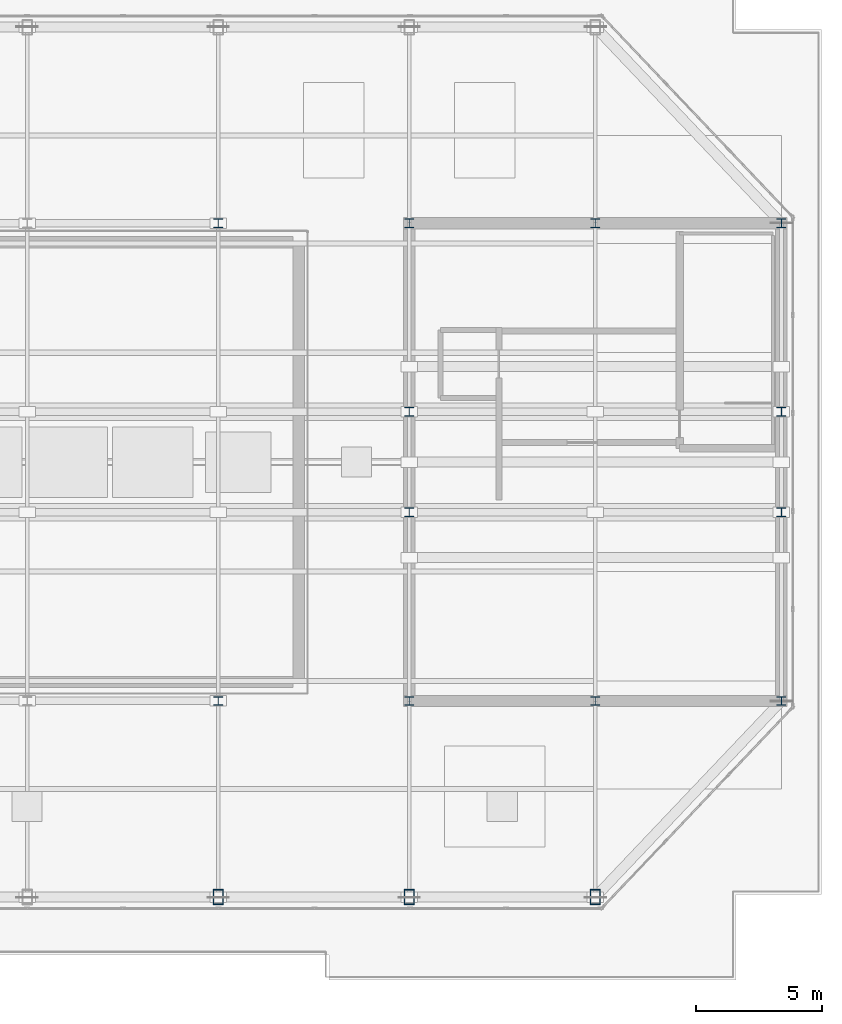
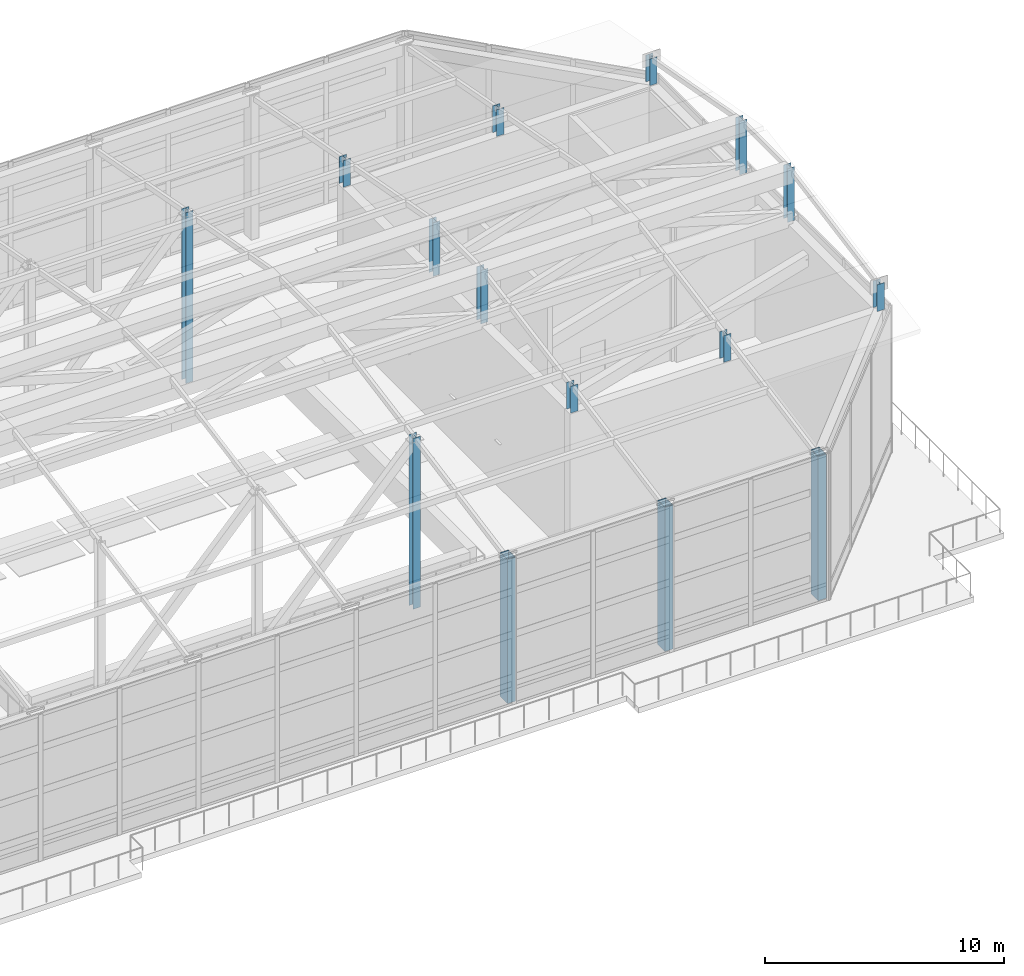
# One storey, part 2 of 25: 15 columns.
"""IFC4 building model written with IfcOpenShell, lengths in metres."""

from ifc_helpers import new_model, si_unit, direction, frame, origin, origin_2d, place, context, subcontext, project, spatial, hollow_rectangle, i_section, extrude, source, transform, mapped, material, material_profile, profile_set, type_object, type_shapes, element, save


model = new_model("IFC4")

# Units and contexts
model_context = context("Model", 3, precision=1e-05, world=origin(), true_north=direction((0.0, 1.0)))
body_context = subcontext(model_context, "Body", "Model", "MODEL_VIEW")
ifc_project = project(units=[si_unit("LENGTHUNIT", "METRE"), si_unit("AREAUNIT", "SQUARE_METRE"), si_unit("VOLUMEUNIT", "CUBIC_METRE"), si_unit("PLANEANGLEUNIT", "RADIAN"), si_unit("MASSUNIT", "GRAM", prefix="KILO")], contexts=[model_context])

# Site, building, storey
site_placement = place(None, origin())
site = spatial("IfcSite", under=ifc_project, at=site_placement, CompositionType="ELEMENT")
building_placement = place(site_placement, origin())
building = spatial("IfcBuilding", under=site, at=building_placement, Name="Haelvirn Gate Laboratories", CompositionType="ELEMENT")
storey_placement = place(building_placement, frame((0.0, 0.0, 337.800048828125)))
storey = spatial("IfcBuildingStorey", under=building, at=storey_placement, Name="RF", CompositionType="ELEMENT", Elevation=337.800048828125)

# Columns
ifc_material_1 = material(Name="Steel SM420", Category="steel")
ifc_material_profile_1 = material_profile(ifc_material_1, hollow_rectangle(XDim=0.39990234375, YDim=0.60009765625, WallThickness=0.02490234375, at=origin_2d()), Name="BOX-600x400x25")
ifc_profile_set_1 = profile_set([ifc_material_profile_1], Name="Steel SM420")
column_type_1 = type_object("IfcColumnType", Name="COL-CROWN", PredefinedType="USERDEFINED", material=ifc_profile_set_1)
shared_shape_1 = source(origin(), body_context, "Body", "SweptSolid", [
    extrude(hollow_rectangle(XDim=0.39990234375, YDim=0.60009765625, WallThickness=0.02490234375, at=origin_2d()), origin(), (0.0, 0.0, 1.0), 7.349853515625),
])
type_shapes(column_type_1, [shared_shape_1])
for number, where, z_axis, x_axis, name in (
    (1, (45.0, 7.0, 0.0), (0.0, 0.0, 1.0), (1.0, 0.0, 0.0), "RF Crown Ring Column S5"),
    (2, (52.60009765625, 7.0, 0.0), (0.0, 0.0, 1.0), (1.0, 0.0, 0.0), "RF Crown Ring Column S6"),
    (3, (60.0, 7.0, 0.0), (0.0, 0.0, 1.0), (1.0, 0.0, 0.0), "RF Crown Ring Column S7"),
):
    element("IfcColumn", number, at=place(storey_placement, frame(where, z_axis=z_axis, x_axis=x_axis)), inside=storey, type_object=column_type_1, Name=name, ObjectType="CROWN FRAME", PredefinedType="USERDEFINED", context=body_context, shape_type="MappedRepresentation", body=[
        mapped(shared_shape_1, transform((0.0, 0.0, 0.0), scale=1.0)),
    ])
ifc_material_2 = material(Name="Steel SM355", Category="steel")
ifc_material_profile_2 = material_profile(ifc_material_2, i_section(OverallWidth=0.35009765625, OverallDepth=0.35009765625, WebThickness=0.011962890625, FlangeThickness=0.01904296875, at=origin_2d()), Name="H-350x350x12x19")
ifc_profile_set_2 = profile_set([ifc_material_profile_2], Name="Steel SM355")
column_type_2 = type_object("IfcColumnType", Name="COL-H-350", PredefinedType="COLUMN", material=ifc_profile_set_2)
shared_shape_2 = source(origin(), body_context, "Body", "SweptSolid", [
    extrude(i_section(OverallWidth=0.35009765625, OverallDepth=0.35009765625, WebThickness=0.011962890625, FlangeThickness=0.01904296875, at=origin_2d()), origin(), (0.0, 0.0, 1.0), 1.361328125),
])
for number, where, z_axis, x_axis, name in (
    (4, (52.60009765625, 14.800048828125, 7.349853515625), (0.0, 0.0, 1.0), (1.0, 0.0, 0.0), "RF Vault Interior Support Column X52.6/Y14.8"),
    (5, (52.60009765625, 33.800048828125, 7.349853515625), (0.0, 0.0, 1.0), (1.0, 0.0, 0.0), "RF Vault Interior Support Column X52.6/Y33.8"),
    (6, (60.0, 14.800048828125, 7.349853515625), (0.0, 0.0, 1.0), (1.0, 0.0, 0.0), "RF Vault Interior Support Column X60.0/Y14.8"),
    (7, (60.0, 33.800048828125, 7.349853515625), (0.0, 0.0, 1.0), (1.0, 0.0, 0.0), "RF Vault Interior Support Column X60.0/Y33.8"),
    (8, (67.39990234375, 14.800048828125, 7.349853515625), (0.0, 0.0, 1.0), (1.0, 0.0, 0.0), "RF Vault Interior Support Column X67.4/Y14.8"),
    (9, (67.39990234375, 33.800048828125, 7.349853515625), (0.0, 0.0, 1.0), (1.0, 0.0, 0.0), "RF Vault Interior Support Column X67.4/Y33.8"),
):
    element("IfcColumn", number, at=place(storey_placement, frame(where, z_axis=z_axis, x_axis=x_axis)), inside=storey, type_object=column_type_2, Name=name, PredefinedType="COLUMN", context=body_context, shape_type="MappedRepresentation", body=[
        mapped(shared_shape_2, transform((0.0, 0.0, 0.0), scale=1.0)),
    ])
shared_shape_3 = source(origin(), body_context, "Body", "SweptSolid", [
    extrude(i_section(OverallWidth=0.35009765625, OverallDepth=0.35009765625, WebThickness=0.011962890625, FlangeThickness=0.01904296875, at=origin_2d()), origin(), (0.0, 0.0, 1.0), 8.711181640625),
])
for number, where, z_axis, x_axis, name in (
    (10, (45.0, 14.800048828125, 0.0), (0.0, 0.0, 1.0), (1.0, 0.0, 0.0), "RF Vault Interior Support Column X45.0/Y14.8"),
    (11, (45.0, 33.800048828125, 0.0), (0.0, 0.0, 1.0), (1.0, 0.0, 0.0), "RF Vault Interior Support Column X45.0/Y33.8"),
):
    element("IfcColumn", number, at=place(storey_placement, frame(where, z_axis=z_axis, x_axis=x_axis)), inside=storey, type_object=column_type_2, Name=name, PredefinedType="COLUMN", context=body_context, shape_type="MappedRepresentation", body=[
        mapped(shared_shape_3, transform((0.0, 0.0, 0.0), scale=1.0)),
    ])
shared_shape_4 = source(origin(), body_context, "Body", "SweptSolid", [
    extrude(i_section(OverallWidth=0.35009765625, OverallDepth=0.35009765625, WebThickness=0.011962890625, FlangeThickness=0.01904296875, at=origin_2d()), origin(), (0.0, 0.0, 1.0), 2.7255859375),
])
type_shapes(column_type_2, [shared_shape_2, shared_shape_3, shared_shape_4])
for number, where, z_axis, x_axis, name in (
    (12, (52.60009765625, 22.300048828125, 7.349853515625), (0.0, 0.0, 1.0), (1.0, 0.0, 0.0), "RF Vault Ridge Support Column S X52.6"),
    (13, (67.39990234375, 22.300048828125, 7.349853515625), (0.0, 0.0, 1.0), (1.0, 0.0, 0.0), "RF Vault Ridge Support Column S X67.4"),
    (14, (52.60009765625, 26.300048828125, 7.349853515625), (0.0, 0.0, 1.0), (1.0, 0.0, 0.0), "RF Vault Ridge Support Column N X52.6"),
    (15, (67.39990234375, 26.300048828125, 7.349853515625), (0.0, 0.0, 1.0), (1.0, 0.0, 0.0), "RF Vault Ridge Support Column N X67.4"),
):
    element("IfcColumn", number, at=place(storey_placement, frame(where, z_axis=z_axis, x_axis=x_axis)), inside=storey, type_object=column_type_2, Name=name, PredefinedType="COLUMN", context=body_context, shape_type="MappedRepresentation", body=[
        mapped(shared_shape_4, transform((0.0, 0.0, 0.0), scale=1.0)),
    ])

save(model, "model.ifc")
